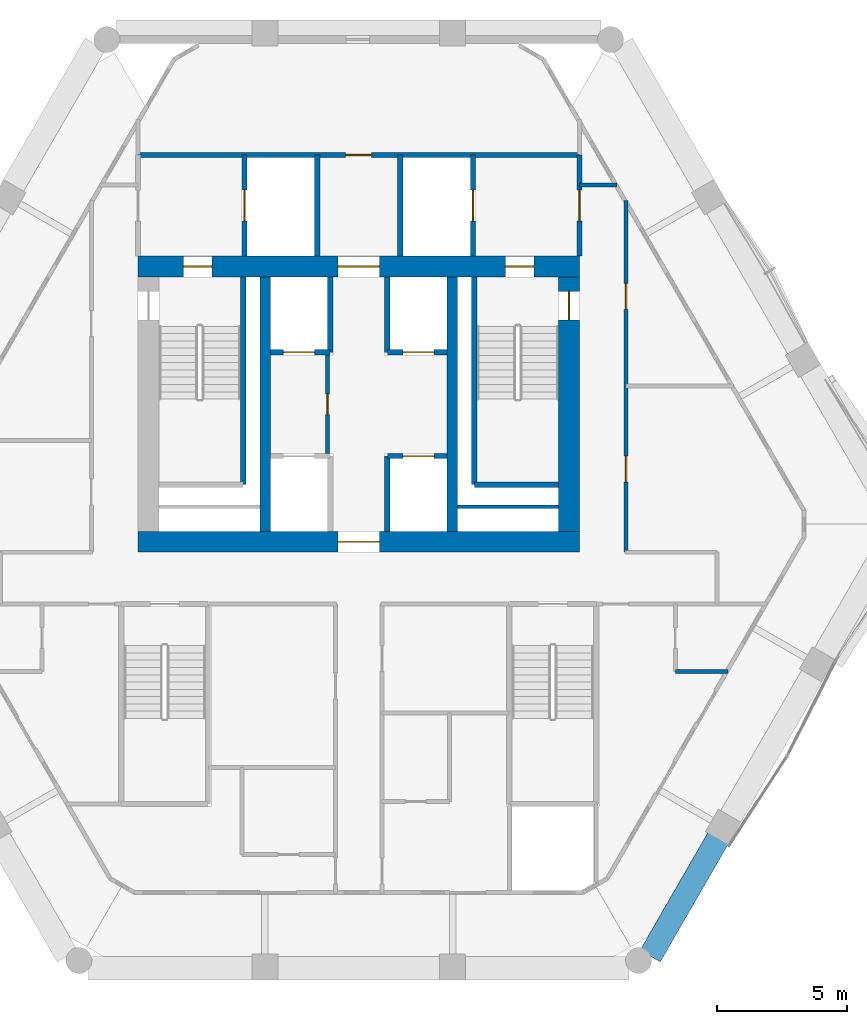
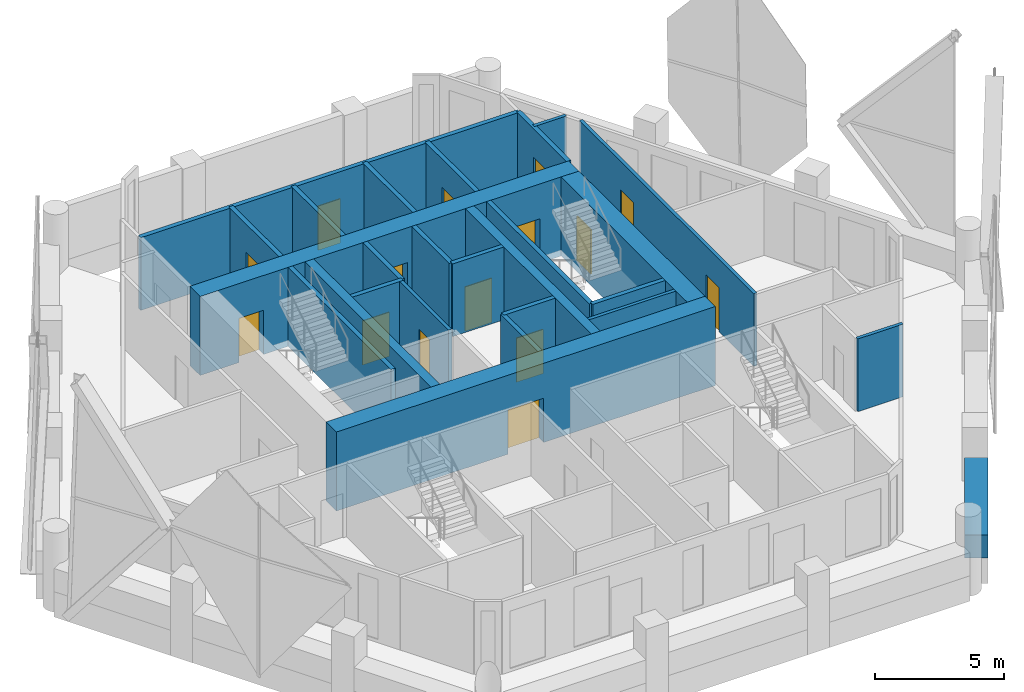
# One storey, part 9 of 13: 26 walls, 15 doors, 15 openings.
"""IFC4 building model written with IfcOpenShell, lengths in metres."""

from ifc_helpers import new_model, si_unit, direction, frame, frame_2d, origin, place, context, subcontext, project, spatial, rectangle, extrude, material, layer, layer_set, type_object, element, fill, save


model = new_model("IFC4")

# Units and contexts
model_context = context("Model", 3, precision=1e-05, world=origin(), true_north=direction((0.0, 1.0)))
body_context = subcontext(model_context, "Body", "Model", "MODEL_VIEW")
ifc_project = project(units=[si_unit("LENGTHUNIT", "METRE"), si_unit("AREAUNIT", "SQUARE_METRE"), si_unit("VOLUMEUNIT", "CUBIC_METRE"), si_unit("PLANEANGLEUNIT", "RADIAN"), si_unit("MASSUNIT", "GRAM", prefix="KILO")], contexts=[model_context])

# Site, building, storey
site_placement = place(None, origin())
site = spatial("IfcSite", under=ifc_project, at=site_placement, CompositionType="ELEMENT")
building_placement = place(site_placement, origin())
building = spatial("IfcBuilding", under=site, at=building_placement, Name="Ostrander Bayou Hotel Tower", CompositionType="ELEMENT")
storey_placement = place(building_placement, frame((0.0, 0.0, 187.0)))
storey = spatial("IfcBuildingStorey", under=building, at=storey_placement, Name="L46", CompositionType="ELEMENT", Elevation=187.0)

# Wall, opening, door
ifc_material_1 = material(Name="Concrete f'c 60 MPa", Category="concrete")
ifc_layer_1 = layer(ifc_material_1, 0.800048828125)
ifc_layer_set_1 = layer_set([ifc_layer_1], Name="CW7 core wall 800 mm f'c 60 MPa")
wall_type_1 = type_object("IfcWallType", Name="CW7 core wall 800 mm f'c 60 MPa", PredefinedType="SHEAR", material=ifc_layer_set_1)
wall_1_placement = place(storey_placement, frame((-8.5, -1.300048828125, -0.300048828125), z_axis=(0.0, 0.0, 1.0), x_axis=(1.0, 0.0, 0.0)))
wall_1 = element("IfcWall", 1, at=wall_1_placement, inside=storey, type_object=wall_type_1, Name="CW7 L46 S", PredefinedType="SHEAR", context=body_context, shape_type="SweptSolid", body=[
    extrude(rectangle(XDim=17.0, YDim=0.800048828125, at=frame_2d((8.5, 0.0))), origin(), (0.0, 0.0, 1.0), 3.75),
])
opening_1_placement = place(wall_1_placement, frame((7.699951171875, 0.0, 0.0)))
opening_1 = element("IfcOpeningElement", 2, at=opening_1_placement, cuts=wall_1, Name="Opening T44-005", PredefinedType="OPENING", context=body_context, shape_type="SweptSolid", body=[
    extrude(rectangle(XDim=1.60009765625, YDim=2.10009765625, at=frame_2d((0.800048828125, 1.050048828125))), frame((0.0, 0.39990234375, 0.0), z_axis=(0.0, -1.0, 0.0), x_axis=(1.0, 0.0, 0.0)), (0.0, 0.0, 1.0), 0.800048828125),
])
ifc_material_2 = material(Name="Timber door leaf", Category="wood")
door_type_1 = type_object("IfcDoorType", Name="D13 double door 1600 x 2100 mm, 1 hour", OperationType="SINGLE_SWING_LEFT", PredefinedType="DOOR", material=ifc_material_2)
door_1_placement = place(opening_1_placement, origin())
door_1 = element("IfcDoor", 3, at=door_1_placement, inside=storey, type_object=door_type_1, Name="dr:L46:005", OperationType="DOUBLE_DOOR_SINGLE_SWING", OverallHeight=2.10009765625, OverallWidth=1.60009765625, PredefinedType="DOOR", context=body_context, shape_type="SweptSolid", body=[
    extrude(rectangle(XDim=1.60009765625, YDim=2.10009765625, at=frame_2d((0.800048828125, 1.050048828125))), frame((0.0, 0.02490234375, 0.0), z_axis=(0.0, -1.0, 0.0), x_axis=(1.0, 0.0, 0.0)), (0.0, 0.0, 1.0), 0.050048828125),
])
fill(opening_1, door_1)

# Wall, openings, doors
wall_2_placement = place(storey_placement, frame((-8.5, 9.300048828125, -0.300048828125), z_axis=(0.0, 0.0, 1.0), x_axis=(1.0, 0.0, 0.0)))
wall_2 = element("IfcWall", 4, at=wall_2_placement, inside=storey, type_object=wall_type_1, Name="CW7 L46 N", PredefinedType="SHEAR", context=body_context, shape_type="SweptSolid", body=[
    extrude(rectangle(XDim=17.0, YDim=0.800048828125, at=frame_2d((8.5, 0.0))), origin(), (0.0, 0.0, 1.0), 3.75),
])
opening_2_placement = place(wall_2_placement, frame((7.699951171875, 0.0, 0.0)))
opening_2 = element("IfcOpeningElement", 5, at=opening_2_placement, cuts=wall_2, Name="Opening T44-006", PredefinedType="OPENING", context=body_context, shape_type="SweptSolid", body=[
    extrude(rectangle(XDim=1.60009765625, YDim=2.10009765625, at=frame_2d((0.800048828125, 1.050048828125))), frame((0.0, 0.39990234375, 0.0), z_axis=(0.0, -1.0, 0.0), x_axis=(1.0, 0.0, 0.0)), (0.0, 0.0, 1.0), 0.800048828125),
])
opening_3_placement = place(wall_2_placement, frame((1.75, 0.0, 0.0)))
opening_3 = element("IfcOpeningElement", 6, at=opening_3_placement, cuts=wall_2, Name="Opening T44-007", PredefinedType="OPENING", context=body_context, shape_type="SweptSolid", body=[
    extrude(rectangle(XDim=1.10009765625, YDim=2.10009765625, at=frame_2d((0.550048828125, 1.050048828125))), frame((0.0, 0.39990234375, 0.0), z_axis=(0.0, -1.0, 0.0), x_axis=(1.0, 0.0, 0.0)), (0.0, 0.0, 1.0), 0.800048828125),
])
opening_4_placement = place(wall_2_placement, frame((14.14990234375, 0.0, 0.0)))
opening_4 = element("IfcOpeningElement", 7, at=opening_4_placement, cuts=wall_2, Name="Opening T44-009", PredefinedType="OPENING", context=body_context, shape_type="SweptSolid", body=[
    extrude(rectangle(XDim=1.10009765625, YDim=2.10009765625, at=frame_2d((0.550048828125, 1.050048828125))), frame((0.0, 0.39990234375, 0.0), z_axis=(0.0, -1.0, 0.0), x_axis=(1.0, 0.0, 0.0)), (0.0, 0.0, 1.0), 0.800048828125),
])
door_2_placement = place(opening_2_placement, origin())
door_2 = element("IfcDoor", 8, at=door_2_placement, inside=storey, type_object=door_type_1, Name="dr:L46:006", OperationType="DOUBLE_DOOR_SINGLE_SWING", OverallHeight=2.10009765625, OverallWidth=1.60009765625, PredefinedType="DOOR", context=body_context, shape_type="SweptSolid", body=[
    extrude(rectangle(XDim=1.60009765625, YDim=2.10009765625, at=frame_2d((0.800048828125, 1.050048828125))), frame((0.0, 0.02490234375, 0.0), z_axis=(0.0, -1.0, 0.0), x_axis=(1.0, 0.0, 0.0)), (0.0, 0.0, 1.0), 0.050048828125),
])
fill(opening_2, door_2)
ifc_material_3 = material(Name="Timber door leaf", Category="wood")
door_type_2 = type_object("IfcDoorType", Name="D5 stair door 1100 x 2100 mm, 90 minute", OperationType="SINGLE_SWING_LEFT", PredefinedType="DOOR", material=ifc_material_3)
door_3_placement = place(opening_3_placement, origin())
door_3 = element("IfcDoor", 9, at=door_3_placement, inside=storey, type_object=door_type_2, Name="dr:L46:007", OperationType="SINGLE_SWING_LEFT", OverallHeight=2.10009765625, OverallWidth=1.10009765625, PredefinedType="DOOR", context=body_context, shape_type="SweptSolid", body=[
    extrude(rectangle(XDim=1.10009765625, YDim=2.10009765625, at=frame_2d((0.550048828125, 1.050048828125))), frame((0.0, 0.02490234375, 0.0), z_axis=(0.0, -1.0, 0.0), x_axis=(1.0, 0.0, 0.0)), (0.0, 0.0, 1.0), 0.050048828125),
])
fill(opening_3, door_3)
door_4_placement = place(opening_4_placement, origin())
door_4 = element("IfcDoor", 10, at=door_4_placement, inside=storey, type_object=door_type_2, Name="dr:L46:009", OperationType="SINGLE_SWING_RIGHT", OverallHeight=2.10009765625, OverallWidth=1.10009765625, PredefinedType="DOOR", context=body_context, shape_type="SweptSolid", body=[
    extrude(rectangle(XDim=1.10009765625, YDim=2.10009765625, at=frame_2d((0.550048828125, 1.050048828125))), frame((0.0, 0.02490234375, 0.0), z_axis=(0.0, -1.0, 0.0), x_axis=(1.0, 0.0, 0.0)), (0.0, 0.0, 1.0), 0.050048828125),
])
fill(opening_4, door_4)

# Wall, opening, door
ifc_material_4 = material(Name="Concrete f'c 60 MPa", Category="concrete")
ifc_layer_2 = layer(ifc_material_4, 0.800048828125)
ifc_layer_set_2 = layer_set([ifc_layer_2], Name="CW8 core spine wall 800 mm f'c 60 MPa")
wall_type_2 = type_object("IfcWallType", Name="CW8 core spine wall 800 mm f'c 60 MPa", PredefinedType="SHEAR", material=ifc_layer_set_2)
wall_3_placement = place(storey_placement, frame((8.10009765625, -0.89990234375, -0.300048828125), z_axis=(0.0, 0.0, 1.0), x_axis=(0.0, 1.0, 0.0)))
wall_3 = element("IfcWall", 11, at=wall_3_placement, inside=storey, type_object=wall_type_2, Name="CW8 L46 E", PredefinedType="SHEAR", context=body_context, shape_type="SweptSolid", body=[
    extrude(rectangle(XDim=9.7998046875, YDim=0.800048828125, at=frame_2d((4.89990234375, 0.0))), origin(), (0.0, 0.0, 1.0), 3.75),
])
opening_5_placement = place(wall_3_placement, frame((8.14990234375, 0.0, 0.0)))
opening_5 = element("IfcOpeningElement", 12, at=opening_5_placement, cuts=wall_3, Name="Opening T44-010", PredefinedType="OPENING", context=body_context, shape_type="SweptSolid", body=[
    extrude(rectangle(XDim=1.10009765625, YDim=2.10009765625, at=frame_2d((0.550048828125, 1.050048828125))), frame((0.0, 0.39990234375, 0.0), z_axis=(0.0, -1.0, 0.0), x_axis=(1.0, 0.0, 0.0)), (0.0, 0.0, 1.0), 0.800048828125),
])
door_5_placement = place(opening_5_placement, origin())
door_5 = element("IfcDoor", 13, at=door_5_placement, inside=storey, type_object=door_type_2, Name="dr:L46:010", OperationType="SINGLE_SWING_LEFT", OverallHeight=2.10009765625, OverallWidth=1.10009765625, PredefinedType="DOOR", context=body_context, shape_type="SweptSolid", body=[
    extrude(rectangle(XDim=1.10009765625, YDim=2.10009765625, at=frame_2d((0.550048828125, 1.050048828125))), frame((0.0, 0.02490234375, 0.0), z_axis=(0.0, -1.0, 0.0), x_axis=(1.0, 0.0, 0.0)), (0.0, 0.0, 1.0), 0.050048828125),
])
fill(opening_5, door_5)

# Walls
ifc_material_5 = material(Name="Concrete f'c 60 MPa", Category="concrete")
ifc_layer_3 = layer(ifc_material_5, 0.39990234375)
ifc_layer_set_3 = layer_set([ifc_layer_3], Name="CW9 core bank wall 400 mm f'c 60 MPa")
wall_type_3 = type_object("IfcWallType", Name="CW9 core bank wall 400 mm f'c 60 MPa", PredefinedType="SHEAR", material=ifc_layer_set_3)
for number, where, z_axis, x_axis, name in (
    (14, (-3.60009765625, -0.89990234375, -0.300048828125), (0.0, 0.0, 1.0), (0.0, 1.0, 0.0), "CW9 L46 CW"),
    (15, (3.60009765625, -0.89990234375, -0.300048828125), (0.0, 0.0, 1.0), (0.0, 1.0, 0.0), "CW9 L46 CE"),
):
    element("IfcWall", number, at=place(storey_placement, frame(where, z_axis=z_axis, x_axis=x_axis)), inside=storey, type_object=wall_type_3, Name=name, PredefinedType="SHEAR", context=body_context, shape_type="SweptSolid", body=[
        extrude(rectangle(XDim=9.7998046875, YDim=0.39990234375, at=frame_2d((4.89990234375, 0.0))), origin(), (0.0, 0.0, 1.0), 3.75),
    ])
ifc_material_6 = material(Name="Limestone masonry", Category="masonry")
ifc_layer_4 = layer(ifc_material_6, 0.89990234375)
ifc_layer_set_4 = layer_set([ifc_layer_4], Name="PA2 limestone parapet 900 mm")
wall_type_4 = type_object("IfcWallType", Name="PA2 limestone parapet 900 mm", PredefinedType="PARAPET", material=ifc_layer_set_4)
wall_4_placement = place(storey_placement, frame((11.224609375, -17.25830078125, 0.0), z_axis=(0.0, 0.0, 1.0), x_axis=(0.499988348136, 0.866032130887, 0.0)))
element("IfcWall", 16, at=wall_4_placement, inside=storey, type_object=wall_type_4, Name="PA2 L46 SE-1", PredefinedType="PARAPET", context=body_context, shape_type="SweptSolid", body=[
    extrude(rectangle(XDim=5.245849609375, YDim=0.89990234375, at=frame_2d((2.623046875, 0.0))), origin(), (0.0, 0.0, 1.0), 1.10009765625),
])

# Wall, opening, door
ifc_material_7 = material(Name="Masonry block", Category="masonry")
ifc_layer_5 = layer(ifc_material_7, 0.199951171875)
ifc_layer_set_5 = layer_set([ifc_layer_5], Name="PT5 stair enclosure wall 200 mm masonry, 2 hour")
wall_type_5 = type_object("IfcWallType", Name="PT5 stair enclosure wall 200 mm masonry, 2 hour", PredefinedType="PARTITIONING", material=ifc_layer_set_5)
wall_5_placement = place(storey_placement, frame((-8.5, 13.60009765625, 0.0), z_axis=(0.0, 0.0, 1.0), x_axis=(1.0, 0.0, 0.0)))
wall_5 = element("IfcWall", 17, at=wall_5_placement, inside=storey, type_object=wall_type_5, Name="cs:L46:025", PredefinedType="PARTITIONING", context=body_context, shape_type="SweptSolid", body=[
    extrude(rectangle(XDim=17.0, YDim=0.199951171875, at=frame_2d((8.5, 0.0))), origin(), (0.0, 0.0, 1.0), 3.449951171875),
])
opening_6_placement = place(wall_5_placement, frame((8.0, 0.0, 0.0)))
opening_6 = element("IfcOpeningElement", 18, at=opening_6_placement, cuts=wall_5, Name="Opening T44-017", PredefinedType="OPENING", context=body_context, shape_type="SweptSolid", body=[
    extrude(rectangle(XDim=1.0, YDim=2.10009765625, at=frame_2d((0.5, 1.050048828125))), frame((0.0, 0.10009765625, 0.0), z_axis=(0.0, -1.0, 0.0), x_axis=(1.0, 0.0, 0.0)), (0.0, 0.0, 1.0), 0.199951171875),
])
ifc_material_8 = material(Name="Timber door leaf", Category="wood")
door_type_3 = type_object("IfcDoorType", Name="D9 service door 1000 x 2100 mm, 30 minute", OperationType="SINGLE_SWING_LEFT", PredefinedType="DOOR", material=ifc_material_8)
door_6_placement = place(opening_6_placement, origin())
door_6 = element("IfcDoor", 19, at=door_6_placement, inside=storey, type_object=door_type_3, Name="dr:L46:017", OperationType="SINGLE_SWING_LEFT", OverallHeight=2.10009765625, OverallWidth=1.0, PredefinedType="DOOR", context=body_context, shape_type="SweptSolid", body=[
    extrude(rectangle(XDim=1.0, YDim=2.10009765625, at=frame_2d((0.5, 1.050048828125))), frame((0.0, 0.02490234375, 0.0), z_axis=(0.0, -1.0, 0.0), x_axis=(1.0, 0.0, 0.0)), (0.0, 0.0, 1.0), 0.050048828125),
])
fill(opening_6, door_6)

wall_6_placement = place(storey_placement, frame((8.5, 9.699951171875, 0.0), z_axis=(0.0, 0.0, 1.0), x_axis=(0.0, 1.0, 0.0)))
wall_6 = element("IfcWall", 20, at=wall_6_placement, inside=storey, type_object=wall_type_5, Name="cs:L46:027", PredefinedType="PARTITIONING", context=body_context, shape_type="SweptSolid", body=[
    extrude(rectangle(XDim=3.900146484375, YDim=0.199951171875, at=frame_2d((1.9501953125, 0.0))), origin(), (0.0, 0.0, 1.0), 3.449951171875),
])
opening_7_placement = place(wall_6_placement, frame((1.35009765625, 0.0, 0.0)))
opening_7 = element("IfcOpeningElement", 21, at=opening_7_placement, cuts=wall_6, Name="Opening T44-016", PredefinedType="OPENING", context=body_context, shape_type="SweptSolid", body=[
    extrude(rectangle(XDim=1.199951171875, YDim=2.10009765625, at=frame_2d((0.60009765625, 1.050048828125))), frame((0.0, 0.10009765625, 0.0), z_axis=(0.0, -1.0, 0.0), x_axis=(1.0, 0.0, 0.0)), (0.0, 0.0, 1.0), 0.199951171875),
])
ifc_material_9 = material(Name="Timber door leaf", Category="wood")
door_type_4 = type_object("IfcDoorType", Name="D7 lobby door 1200 x 2100 mm, 1 hour", OperationType="SINGLE_SWING_LEFT", PredefinedType="DOOR", material=ifc_material_9)
door_7_placement = place(opening_7_placement, origin())
door_7 = element("IfcDoor", 22, at=door_7_placement, inside=storey, type_object=door_type_4, Name="dr:L46:016", OperationType="SINGLE_SWING_LEFT", OverallHeight=2.10009765625, OverallWidth=1.199951171875, PredefinedType="DOOR", context=body_context, shape_type="SweptSolid", body=[
    extrude(rectangle(XDim=1.199951171875, YDim=2.10009765625, at=frame_2d((0.60009765625, 1.050048828125))), frame((0.0, 0.02490234375, 0.0), z_axis=(0.0, -1.0, 0.0), x_axis=(1.0, 0.0, 0.0)), (0.0, 0.0, 1.0), 0.050048828125),
])
fill(opening_7, door_7)

wall_7_placement = place(storey_placement, frame((-4.39990234375, 9.699951171875, 0.0), z_axis=(0.0, 0.0, 1.0), x_axis=(0.0, 1.0, 0.0)))
wall_7 = element("IfcWall", 23, at=wall_7_placement, inside=storey, type_object=wall_type_5, Name="cs:L46:028", PredefinedType="PARTITIONING", context=body_context, shape_type="SweptSolid", body=[
    extrude(rectangle(XDim=3.900146484375, YDim=0.199951171875, at=frame_2d((1.9501953125, 0.0))), origin(), (0.0, 0.0, 1.0), 3.449951171875),
])
opening_8_placement = place(wall_7_placement, frame((1.35009765625, 0.0, 0.0)))
opening_8 = element("IfcOpeningElement", 24, at=opening_8_placement, cuts=wall_7, Name="Opening T44-013", PredefinedType="OPENING", context=body_context, shape_type="SweptSolid", body=[
    extrude(rectangle(XDim=1.199951171875, YDim=2.10009765625, at=frame_2d((0.60009765625, 1.050048828125))), frame((0.0, 0.10009765625, 0.0), z_axis=(0.0, -1.0, 0.0), x_axis=(1.0, 0.0, 0.0)), (0.0, 0.0, 1.0), 0.199951171875),
])
ifc_material_10 = material(Name="Stainless steel sliding door", Category="steel")
door_type_5 = type_object("IfcDoorType", Name="LD1 lift landing door 1200 x 2100 mm", OperationType="SINGLE_SWING_LEFT", PredefinedType="DOOR", material=ifc_material_10)
door_8_placement = place(opening_8_placement, origin())
door_8 = element("IfcDoor", 25, at=door_8_placement, inside=storey, type_object=door_type_5, Name="dr:L46:013", OperationType="SLIDING_TO_LEFT", OverallHeight=2.10009765625, OverallWidth=1.199951171875, PredefinedType="DOOR", context=body_context, shape_type="SweptSolid", body=[
    extrude(rectangle(XDim=1.199951171875, YDim=2.10009765625, at=frame_2d((0.60009765625, 1.050048828125))), frame((0.0, 0.02490234375, 0.0), z_axis=(0.0, -1.0, 0.0), x_axis=(1.0, 0.0, 0.0)), (0.0, 0.0, 1.0), 0.050048828125),
])
fill(opening_8, door_8)

wall_8_placement = place(storey_placement, frame((4.39990234375, 9.699951171875, 0.0), z_axis=(0.0, 0.0, 1.0), x_axis=(0.0, 1.0, 0.0)))
wall_8 = element("IfcWall", 26, at=wall_8_placement, inside=storey, type_object=wall_type_5, Name="cs:L46:029", PredefinedType="PARTITIONING", context=body_context, shape_type="SweptSolid", body=[
    extrude(rectangle(XDim=3.900146484375, YDim=0.199951171875, at=frame_2d((1.9501953125, 0.0))), origin(), (0.0, 0.0, 1.0), 3.449951171875),
])
opening_9_placement = place(wall_8_placement, frame((1.35009765625, 0.0, 0.0)))
opening_9 = element("IfcOpeningElement", 27, at=opening_9_placement, cuts=wall_8, Name="Opening T44-015", PredefinedType="OPENING", context=body_context, shape_type="SweptSolid", body=[
    extrude(rectangle(XDim=1.199951171875, YDim=2.10009765625, at=frame_2d((0.60009765625, 1.050048828125))), frame((0.0, 0.10009765625, 0.0), z_axis=(0.0, -1.0, 0.0), x_axis=(1.0, 0.0, 0.0)), (0.0, 0.0, 1.0), 0.199951171875),
])
door_9_placement = place(opening_9_placement, origin())
door_9 = element("IfcDoor", 28, at=door_9_placement, inside=storey, type_object=door_type_5, Name="dr:L46:015", OperationType="SLIDING_TO_LEFT", OverallHeight=2.10009765625, OverallWidth=1.199951171875, PredefinedType="DOOR", context=body_context, shape_type="SweptSolid", body=[
    extrude(rectangle(XDim=1.199951171875, YDim=2.10009765625, at=frame_2d((0.60009765625, 1.050048828125))), frame((0.0, 0.02490234375, 0.0), z_axis=(0.0, -1.0, 0.0), x_axis=(1.0, 0.0, 0.0)), (0.0, 0.0, 1.0), 0.050048828125),
])
fill(opening_9, door_9)

ifc_material_11 = material(Name="Masonry block", Category="masonry")
ifc_layer_6 = layer(ifc_material_11, 0.199951171875)
ifc_layer_set_6 = layer_set([ifc_layer_6], Name="PT6 lift shaft wall 200 mm masonry, 2 hour")
wall_type_6 = type_object("IfcWallType", Name="PT6 lift shaft wall 200 mm masonry, 2 hour", PredefinedType="PARTITIONING", material=ifc_layer_set_6)
wall_9_placement = place(storey_placement, frame((-3.39990234375, 6.0, 0.0), z_axis=(0.0, 0.0, 1.0), x_axis=(1.0, 0.0, 0.0)))
wall_9 = element("IfcWall", 29, at=wall_9_placement, inside=storey, type_object=wall_type_6, Name="cs:L46:002", PredefinedType="PARTITIONING", context=body_context, shape_type="SweptSolid", body=[
    extrude(rectangle(XDim=2.2998046875, YDim=0.199951171875, at=frame_2d((1.14990234375, 0.0))), origin(), (0.0, 0.0, 1.0), 3.449951171875),
])
opening_10_placement = place(wall_9_placement, frame((0.5, 0.0, 0.0)))
opening_10 = element("IfcOpeningElement", 30, at=opening_10_placement, cuts=wall_9, Name="Opening T44-003", PredefinedType="OPENING", context=body_context, shape_type="SweptSolid", body=[
    extrude(rectangle(XDim=1.199951171875, YDim=2.10009765625, at=frame_2d((0.60009765625, 1.050048828125))), frame((0.0, 0.10009765625, 0.0), z_axis=(0.0, -1.0, 0.0), x_axis=(1.0, 0.0, 0.0)), (0.0, 0.0, 1.0), 0.199951171875),
])
door_10_placement = place(opening_10_placement, origin())
door_10 = element("IfcDoor", 31, at=door_10_placement, inside=storey, type_object=door_type_5, Name="dr:L46:003", OperationType="SLIDING_TO_LEFT", OverallHeight=2.10009765625, OverallWidth=1.199951171875, PredefinedType="DOOR", context=body_context, shape_type="SweptSolid", body=[
    extrude(rectangle(XDim=1.199951171875, YDim=2.10009765625, at=frame_2d((0.60009765625, 1.050048828125))), frame((0.0, 0.02490234375, 0.0), z_axis=(0.0, -1.0, 0.0), x_axis=(1.0, 0.0, 0.0)), (0.0, 0.0, 1.0), 0.050048828125),
])
fill(opening_10, door_10)

wall_10_placement = place(storey_placement, frame((1.10009765625, 2.0, 0.0), z_axis=(0.0, 0.0, 1.0), x_axis=(1.0, 0.0, 0.0)))
wall_10 = element("IfcWall", 32, at=wall_10_placement, inside=storey, type_object=wall_type_6, Name="cs:L46:003", PredefinedType="PARTITIONING", context=body_context, shape_type="SweptSolid", body=[
    extrude(rectangle(XDim=2.2998046875, YDim=0.199951171875, at=frame_2d((1.14990234375, 0.0))), origin(), (0.0, 0.0, 1.0), 3.449951171875),
])
opening_11_placement = place(wall_10_placement, frame((0.60009765625, 0.0, 0.0)))
opening_11 = element("IfcOpeningElement", 33, at=opening_11_placement, cuts=wall_10, Name="Opening T44-002", PredefinedType="OPENING", context=body_context, shape_type="SweptSolid", body=[
    extrude(rectangle(XDim=1.199951171875, YDim=2.10009765625, at=frame_2d((0.60009765625, 1.050048828125))), frame((0.0, 0.10009765625, 0.0), z_axis=(0.0, -1.0, 0.0), x_axis=(1.0, 0.0, 0.0)), (0.0, 0.0, 1.0), 0.199951171875),
])
door_11_placement = place(opening_11_placement, origin())
door_11 = element("IfcDoor", 34, at=door_11_placement, inside=storey, type_object=door_type_5, Name="dr:L46:002", OperationType="SLIDING_TO_LEFT", OverallHeight=2.10009765625, OverallWidth=1.199951171875, PredefinedType="DOOR", context=body_context, shape_type="SweptSolid", body=[
    extrude(rectangle(XDim=1.199951171875, YDim=2.10009765625, at=frame_2d((0.60009765625, 1.050048828125))), frame((0.0, 0.02490234375, 0.0), z_axis=(0.0, -1.0, 0.0), x_axis=(1.0, 0.0, 0.0)), (0.0, 0.0, 1.0), 0.050048828125),
])
fill(opening_11, door_11)

wall_11_placement = place(storey_placement, frame((1.10009765625, 6.0, 0.0), z_axis=(0.0, 0.0, 1.0), x_axis=(1.0, 0.0, 0.0)))
wall_11 = element("IfcWall", 35, at=wall_11_placement, inside=storey, type_object=wall_type_6, Name="cs:L46:004", PredefinedType="PARTITIONING", context=body_context, shape_type="SweptSolid", body=[
    extrude(rectangle(XDim=2.2998046875, YDim=0.199951171875, at=frame_2d((1.14990234375, 0.0))), origin(), (0.0, 0.0, 1.0), 3.449951171875),
])
opening_12_placement = place(wall_11_placement, frame((0.60009765625, 0.0, 0.0)))
opening_12 = element("IfcOpeningElement", 36, at=opening_12_placement, cuts=wall_11, Name="Opening T44-004", PredefinedType="OPENING", context=body_context, shape_type="SweptSolid", body=[
    extrude(rectangle(XDim=1.199951171875, YDim=2.10009765625, at=frame_2d((0.60009765625, 1.050048828125))), frame((0.0, 0.10009765625, 0.0), z_axis=(0.0, -1.0, 0.0), x_axis=(1.0, 0.0, 0.0)), (0.0, 0.0, 1.0), 0.199951171875),
])
door_12_placement = place(opening_12_placement, origin())
door_12 = element("IfcDoor", 37, at=door_12_placement, inside=storey, type_object=door_type_5, Name="dr:L46:004", OperationType="SLIDING_TO_LEFT", OverallHeight=2.10009765625, OverallWidth=1.199951171875, PredefinedType="DOOR", context=body_context, shape_type="SweptSolid", body=[
    extrude(rectangle(XDim=1.199951171875, YDim=2.10009765625, at=frame_2d((0.60009765625, 1.050048828125))), frame((0.0, 0.02490234375, 0.0), z_axis=(0.0, -1.0, 0.0), x_axis=(1.0, 0.0, 0.0)), (0.0, 0.0, 1.0), 0.050048828125),
])
fill(opening_12, door_12)

# Walls
for number, where, z_axis, x_axis, name in (
    (38, (1.10009765625, -0.89990234375, 0.0), (0.0, 0.0, 1.0), (0.0, 1.0, 0.0), "cs:L46:006"),
    (39, (-1.10009765625, 6.0, 0.0), (0.0, 0.0, 1.0), (0.0, 1.0, 0.0), "cs:L46:007"),
    (40, (1.10009765625, 6.0, 0.0), (0.0, 0.0, 1.0), (0.0, 1.0, 0.0), "cs:L46:008"),
):
    element("IfcWall", number, at=place(storey_placement, frame(where, z_axis=z_axis, x_axis=x_axis)), inside=storey, type_object=wall_type_6, Name=name, PredefinedType="PARTITIONING", context=body_context, shape_type="SweptSolid", body=[
        extrude(rectangle(XDim=2.89990234375, YDim=0.199951171875, at=frame_2d((1.449951171875, 0.0))), origin(), (0.0, 0.0, 1.0), 3.449951171875),
    ])
for number, where, z_axis, x_axis, name in (
    (41, (-1.60009765625, 9.699951171875, 0.0), (0.0, 0.0, 1.0), (0.0, 1.0, 0.0), "cs:L46:030"),
    (42, (1.60009765625, 9.699951171875, 0.0), (0.0, 0.0, 1.0), (0.0, 1.0, 0.0), "cs:L46:031"),
):
    element("IfcWall", number, at=place(storey_placement, frame(where, z_axis=z_axis, x_axis=x_axis)), inside=storey, type_object=wall_type_6, Name=name, PredefinedType="PARTITIONING", context=body_context, shape_type="SweptSolid", body=[
        extrude(rectangle(XDim=3.900146484375, YDim=0.199951171875, at=frame_2d((1.9501953125, 0.0))), origin(), (0.0, 0.0, 1.0), 3.449951171875),
    ])
ifc_material_12 = material(Name="Gypsum board partition", Category="finish")
ifc_layer_7 = layer(ifc_material_12, 0.14990234375)
ifc_layer_set_7 = layer_set([ifc_layer_7], Name="PT7 riser wall 150 mm, 2 hour")
wall_type_7 = type_object("IfcWallType", Name="PT7 riser wall 150 mm, 2 hour", PredefinedType="PARTITIONING", material=ifc_layer_set_7)
wall_12_placement = place(storey_placement, frame((3.800048828125, 0.050048828125, 0.0), z_axis=(0.0, 0.0, 1.0), x_axis=(1.0, 0.0, 0.0)))
element("IfcWall", 43, at=wall_12_placement, inside=storey, type_object=wall_type_7, Name="cs:L46:014", PredefinedType="PARTITIONING", context=body_context, shape_type="SweptSolid", body=[
    extrude(rectangle(XDim=3.89990234375, YDim=0.14990234375, at=frame_2d((1.949951171875, 0.0))), origin(), (0.0, 0.0, 1.0), 3.449951171875),
])

# Wall, opening, door
wall_13_placement = place(storey_placement, frame((-1.199951171875, 2.10009765625, 0.0), z_axis=(0.0, 0.0, 1.0), x_axis=(0.0, 1.0, 0.0)))
wall_13 = element("IfcWall", 44, at=wall_13_placement, inside=storey, type_object=wall_type_7, Name="cs:L46:032", PredefinedType="PARTITIONING", context=body_context, shape_type="SweptSolid", body=[
    extrude(rectangle(XDim=3.7998046875, YDim=0.14990234375, at=frame_2d((1.89990234375, 0.0))), origin(), (0.0, 0.0, 1.0), 3.449951171875),
])
opening_13_placement = place(wall_13_placement, frame((1.5, 0.0, 0.0)))
opening_13 = element("IfcOpeningElement", 45, at=opening_13_placement, cuts=wall_13, Name="Opening T44-018", PredefinedType="OPENING", context=body_context, shape_type="SweptSolid", body=[
    extrude(rectangle(XDim=0.800048828125, YDim=2.10009765625, at=frame_2d((0.39990234375, 1.050048828125))), frame((0.0, 0.074951171875, 0.0), z_axis=(0.0, -1.0, 0.0), x_axis=(1.0, 0.0, 0.0)), (0.0, 0.0, 1.0), 0.14990234375),
])
ifc_material_13 = material(Name="Timber door leaf", Category="wood")
door_type_6 = type_object("IfcDoorType", Name="D6 riser door 800 x 2100 mm, 90 minute", OperationType="SINGLE_SWING_LEFT", PredefinedType="DOOR", material=ifc_material_13)
door_13_placement = place(opening_13_placement, origin())
door_13 = element("IfcDoor", 46, at=door_13_placement, inside=storey, type_object=door_type_6, Name="dr:L46:018", OperationType="SINGLE_SWING_LEFT", OverallHeight=2.10009765625, OverallWidth=0.800048828125, PredefinedType="DOOR", context=body_context, shape_type="SweptSolid", body=[
    extrude(rectangle(XDim=0.800048828125, YDim=2.10009765625, at=frame_2d((0.39990234375, 1.050048828125))), frame((0.0, 0.02490234375, 0.0), z_axis=(0.0, -1.0, 0.0), x_axis=(1.0, 0.0, 0.0)), (0.0, 0.0, 1.0), 0.050048828125),
])
fill(opening_13, door_13)

# Walls
ifc_material_14 = material(Name="Gypsum board partition", Category="finish")
ifc_layer_8 = layer(ifc_material_14, 0.14990234375)
ifc_layer_set_8 = layer_set([ifc_layer_8], Name="PT8 service band wall 150 mm, 1 hour")
wall_type_8 = type_object("IfcWallType", Name="PT8 service band wall 150 mm, 1 hour", PredefinedType="PARTITIONING", material=ifc_layer_set_8)
wall_14_placement = place(storey_placement, frame((12.195068359375, -6.300048828125, 0.0), z_axis=(0.0, 0.0, 1.0), x_axis=(1.0, 0.0, 0.0)))
element("IfcWall", 47, at=wall_14_placement, inside=storey, type_object=wall_type_8, Name="gw:L46:007", PredefinedType="PARTITIONING", context=body_context, shape_type="SweptSolid", body=[
    extrude(rectangle(XDim=2.031005859375, YDim=0.14990234375, at=frame_2d((1.015625, 0.0))), origin(), (0.0, 0.0, 1.0), 3.449951171875),
])
wall_15_placement = place(storey_placement, frame((8.510009765625, 12.449951171875, 0.0), z_axis=(0.0, 0.0, 1.0), x_axis=(1.0, 0.0, 0.0)))
element("IfcWall", 48, at=wall_15_placement, inside=storey, type_object=wall_type_8, Name="gw:L46:017", PredefinedType="PARTITIONING", context=body_context, shape_type="SweptSolid", body=[
    extrude(rectangle(XDim=1.447021484375, YDim=0.14990234375, at=frame_2d((0.7236328125, 0.0))), origin(), (0.0, 0.0, 1.0), 3.449951171875),
])

# Wall, openings, doors
wall_16_placement = place(storey_placement, frame((10.300048828125, -1.699951171875, 0.0), z_axis=(0.0, 0.0, 1.0), x_axis=(0.0, 1.0, 0.0)))
wall_16 = element("IfcWall", 49, at=wall_16_placement, inside=storey, type_object=wall_type_8, Name="gw:L46:020", PredefinedType="PARTITIONING", context=body_context, shape_type="SweptSolid", body=[
    extrude(rectangle(XDim=13.555908203125, YDim=0.14990234375, at=frame_2d((6.77783203125, 0.0))), origin(), (0.0, 0.0, 1.0), 3.449951171875),
])
opening_14_placement = place(wall_16_placement, frame((2.699951171875, 0.0, 0.0)))
opening_14 = element("IfcOpeningElement", 50, at=opening_14_placement, cuts=wall_16, Name="Opening T44-412", PredefinedType="OPENING", context=body_context, shape_type="SweptSolid", body=[
    extrude(rectangle(XDim=1.0, YDim=2.10009765625, at=frame_2d((0.5, 1.050048828125))), frame((0.0, 0.074951171875, 0.0), z_axis=(0.0, -1.0, 0.0), x_axis=(1.0, 0.0, 0.0)), (0.0, 0.0, 1.0), 0.14990234375),
])
opening_15_placement = place(wall_16_placement, frame((9.35693359375, 0.0, 0.0)))
opening_15 = element("IfcOpeningElement", 51, at=opening_15_placement, cuts=wall_16, Name="Opening T44-413", PredefinedType="OPENING", context=body_context, shape_type="SweptSolid", body=[
    extrude(rectangle(XDim=1.0, YDim=2.10009765625, at=frame_2d((0.5, 1.050048828125))), frame((0.0, 0.074951171875, 0.0), z_axis=(0.0, -1.0, 0.0), x_axis=(1.0, 0.0, 0.0)), (0.0, 0.0, 1.0), 0.14990234375),
])
ifc_material_15 = material(Name="Timber door leaf", Category="wood")
door_type_7 = type_object("IfcDoorType", Name="D15 room door 1000 x 2100 mm", OperationType="SINGLE_SWING_LEFT", PredefinedType="DOOR", material=ifc_material_15)
door_14_placement = place(opening_14_placement, origin())
door_14 = element("IfcDoor", 52, at=door_14_placement, inside=storey, type_object=door_type_7, Name="dr:L46:412", OperationType="SINGLE_SWING_LEFT", OverallHeight=2.10009765625, OverallWidth=1.0, PredefinedType="DOOR", context=body_context, shape_type="SweptSolid", body=[
    extrude(rectangle(XDim=1.0, YDim=2.10009765625, at=frame_2d((0.5, 1.050048828125))), frame((0.0, 0.02490234375, 0.0), z_axis=(0.0, -1.0, 0.0), x_axis=(1.0, 0.0, 0.0)), (0.0, 0.0, 1.0), 0.050048828125),
])
fill(opening_14, door_14)
door_15_placement = place(opening_15_placement, origin())
door_15 = element("IfcDoor", 53, at=door_15_placement, inside=storey, type_object=door_type_3, Name="dr:L46:413", OperationType="SINGLE_SWING_LEFT", OverallHeight=2.10009765625, OverallWidth=1.0, PredefinedType="DOOR", context=body_context, shape_type="SweptSolid", body=[
    extrude(rectangle(XDim=1.0, YDim=2.10009765625, at=frame_2d((0.5, 1.050048828125))), frame((0.0, 0.02490234375, 0.0), z_axis=(0.0, -1.0, 0.0), x_axis=(1.0, 0.0, 0.0)), (0.0, 0.0, 1.0), 0.050048828125),
])
fill(opening_15, door_15)

# Walls
ifc_material_16 = material(Name="Concrete f'c 45 MPa", Category="concrete")
ifc_layer_9 = layer(ifc_material_16, 0.199951171875)
ifc_layer_set_9 = layer_set([ifc_layer_9], Name="SW5 stair enclosure wall 200 mm f'c 45 MPa")
wall_type_9 = type_object("IfcWallType", Name="SW5 stair enclosure wall 200 mm f'c 45 MPa", PredefinedType="SOLIDWALL", material=ifc_layer_set_9)
for number, where, z_axis, x_axis, name in (
    (54, (-4.449951171875, 0.89990234375, -0.300048828125), (0.0, 0.0, 1.0), (0.0, 1.0, 0.0), "cs:L46:009"),
    (55, (4.449951171875, 0.89990234375, -0.300048828125), (0.0, 0.0, 1.0), (0.0, 1.0, 0.0), "cs:L46:012"),
):
    element("IfcWall", number, at=place(storey_placement, frame(where, z_axis=z_axis, x_axis=x_axis)), inside=storey, type_object=wall_type_9, Name=name, PredefinedType="SOLIDWALL", context=body_context, shape_type="SweptSolid", body=[
        extrude(rectangle(XDim=8.0, YDim=0.199951171875, at=frame_2d((4.0, 0.0))), origin(), (0.0, 0.0, 1.0), 3.75),
    ])
wall_17_placement = place(storey_placement, frame((4.449951171875, 0.89990234375, -0.300048828125), z_axis=(0.0, 0.0, 1.0), x_axis=(1.0, 0.0, 0.0)))
element("IfcWall", 56, at=wall_17_placement, inside=storey, type_object=wall_type_9, Name="cs:L46:013", PredefinedType="SOLIDWALL", context=body_context, shape_type="SweptSolid", body=[
    extrude(rectangle(XDim=3.25, YDim=0.199951171875, at=frame_2d((1.625, 0.0))), origin(), (0.0, 0.0, 1.0), 3.75),
])

save(model, "model.ifc")
